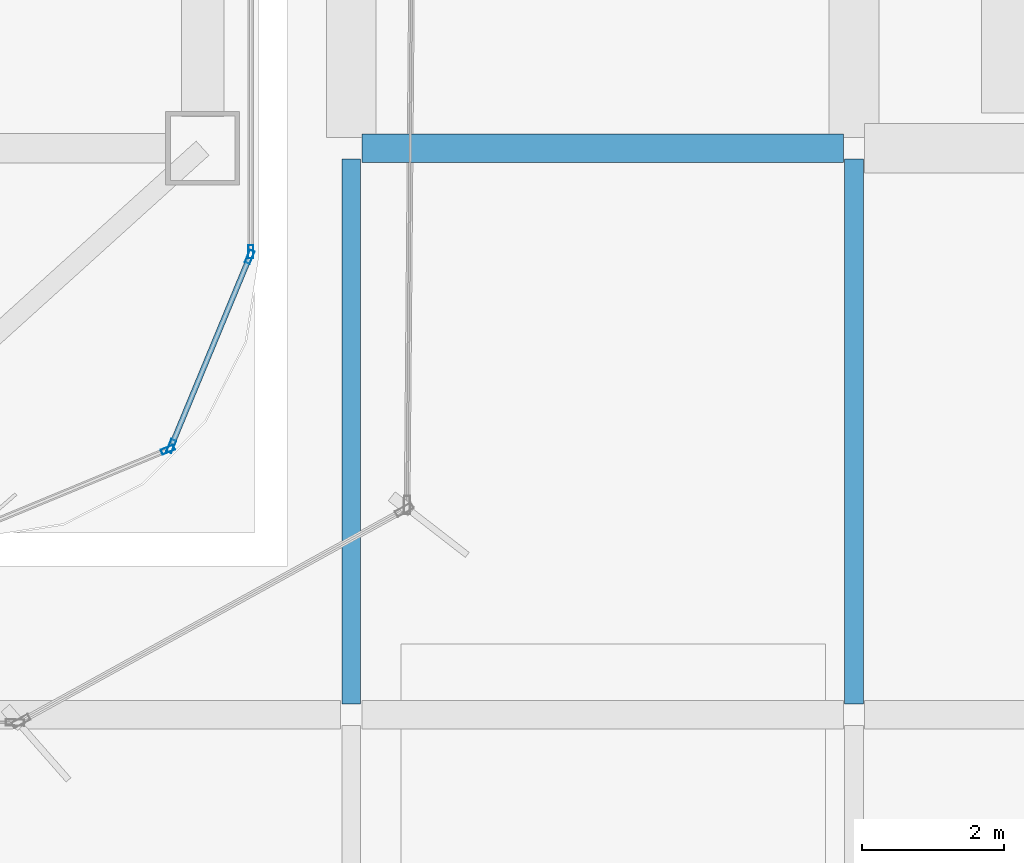
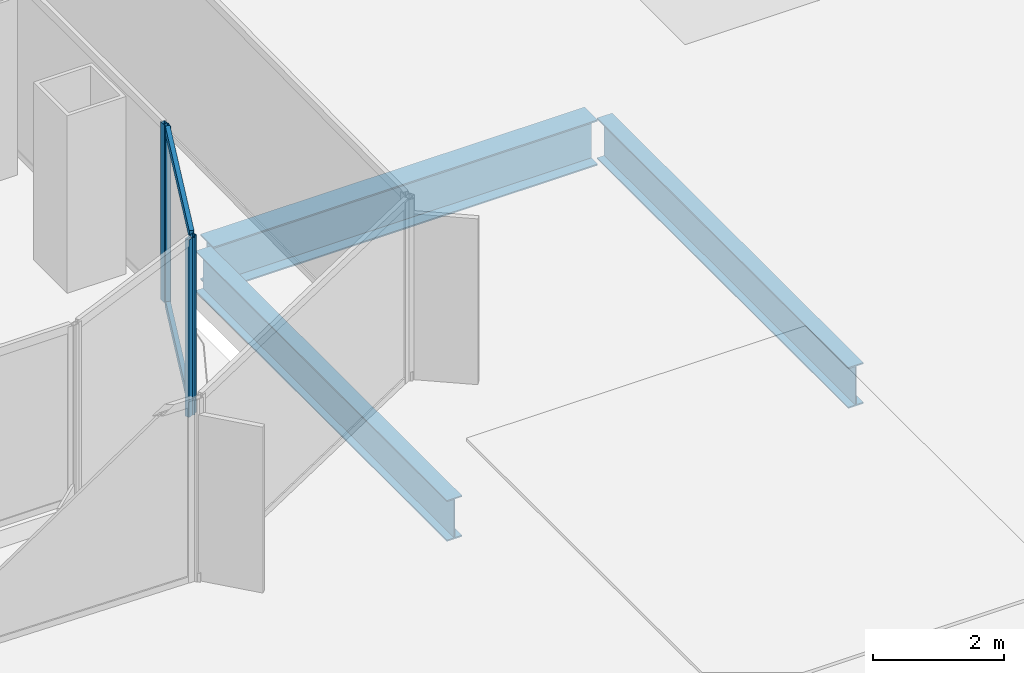
# One storey, part 10 of 27: 6 members, 3 beams, 3 elements without a shape of their own.
"""IFC4 building model written with IfcOpenShell, lengths in metres."""

from ifc_helpers import new_model, si_unit, direction, frame, origin, origin_2d, place, context, subcontext, project, spatial, hollow_rectangle, i_section, extrude, source, transform, mapped, material, layer, layer_set, material_profile, profile_set, type_object, element, aggregate, save


model = new_model("IFC4")

# Units and contexts
model_context = context("Model", 3, precision=1e-05, world=origin(), true_north=direction((0.0, 1.0)))
body_context = subcontext(model_context, "Body", "Model", "MODEL_VIEW")
ifc_project = project(units=[si_unit("LENGTHUNIT", "METRE"), si_unit("AREAUNIT", "SQUARE_METRE"), si_unit("VOLUMEUNIT", "CUBIC_METRE"), si_unit("PLANEANGLEUNIT", "RADIAN"), si_unit("MASSUNIT", "GRAM", prefix="KILO")], contexts=[model_context])

# Site, building, storey
site_placement = place(None, origin())
site = spatial("IfcSite", under=ifc_project, at=site_placement, CompositionType="ELEMENT")
building_placement = place(site_placement, origin())
building = spatial("IfcBuilding", under=site, at=building_placement, Name="Kolveth Station Tower", CompositionType="ELEMENT")
storey_placement = place(building_placement, frame((0.0, 0.0, 22.5)))
storey = spatial("IfcBuildingStorey", under=building, at=storey_placement, Name="L05", CompositionType="ELEMENT", Elevation=22.5)

# Beams
ifc_material_1 = material(Name="Steel S355", Category="steel")
ifc_material_profile_1 = material_profile(ifc_material_1, i_section(OverallWidth=0.40087890625, OverallDepth=0.85107421875, WebThickness=0.01611328125, FlangeThickness=0.025390625, at=origin_2d()), Name="W840x226")
ifc_profile_set_1 = profile_set([ifc_material_profile_1], Name="Steel S355")
beam_type_1 = type_object("IfcBeamType", Name="Beam_B2", PredefinedType="BEAM", material=ifc_profile_set_1)
shared_shape_1 = source(origin(), body_context, "Body", "SweptSolid", [
    extrude(i_section(OverallWidth=0.40087890625, OverallDepth=0.85107421875, WebThickness=0.01611328125, FlangeThickness=0.025390625, at=origin_2d()), origin(), (0.0, 0.0, 1.0), 6.800048828125),
])
beam_placement = place(storey_placement, frame((48.449951171875, 5.5, -0.7255859375), z_axis=(1.0, 0.0, 0.0), x_axis=(0.0, 1.0, 0.0)))
element("IfcBeam", 1, at=beam_placement, inside=storey, type_object=beam_type_1, Name="L05 Station Portal Girder SBM-L05-EW-3-1", PredefinedType="BEAM", context=body_context, shape_type="MappedRepresentation", body=[
    mapped(shared_shape_1, transform((0.0, 0.0, 0.0), x_axis=(1.0, 0.0, 0.0), y_axis=(0.0, 1.0, 0.0), z_axis=(0.0, 0.0, 1.0), scale=1.0)),
])
ifc_material_profile_2 = material_profile(ifc_material_1, i_section(OverallWidth=0.26708984375, OverallDepth=0.76611328125, WebThickness=0.014892578125, FlangeThickness=0.023681640625, at=origin_2d()), Name="W760x185")
ifc_profile_set_2 = profile_set([ifc_material_profile_2], Name="Steel S355")
beam_type_2 = type_object("IfcBeamType", Name="Beam_B3", PredefinedType="BEAM", material=ifc_profile_set_2)
shared_shape_2 = source(origin(), body_context, "Body", "SweptSolid", [
    extrude(i_section(OverallWidth=0.26708984375, OverallDepth=0.76611328125, WebThickness=0.014892578125, FlangeThickness=0.023681640625, at=origin_2d()), origin(), (0.0, 0.0, 1.0), 7.7001953125),
])
for number, where, z_axis, x_axis, name in (
    (2, (48.300048828125, -2.35009765625, -0.68310546875), (0.0, 1.0, 0.0), (-1.0, 0.0, 0.0), "L05 Station Spine Girder SBM-L05-NS-1-2"),
    (3, (55.39990234375, -2.35009765625, -0.68310546875), (0.0, 1.0, 0.0), (-1.0, 0.0, 0.0), "L05 Station Spine Girder SBM-L05-NS-2-2"),
):
    element("IfcBeam", number, at=place(storey_placement, frame(where, z_axis=z_axis, x_axis=x_axis)), inside=storey, type_object=beam_type_2, Name=name, PredefinedType="BEAM", context=body_context, shape_type="MappedRepresentation", body=[
        mapped(shared_shape_2, transform((0.0, 0.0, 0.0), x_axis=(1.0, 0.0, 0.0), y_axis=(0.0, 1.0, 0.0), z_axis=(0.0, 0.0, 1.0), scale=1.0)),
    ])

# Curtain wall, member
ifc_material_2 = material(Name="Aluminium 6063-T6 and low-E dark glass", Category="aluminium")
ifc_layer = layer(ifc_material_2, 0.179931640625)
ifc_layer_set = layer_set([ifc_layer], Name="Aluminium 6063-T6 and low-E dark glass")
curtain_wall_type = type_object("IfcCurtainWallType", Name="CurtainWall_CW-Z1", PredefinedType="NOTDEFINED", material=ifc_layer_set)
curtain_wall_1_placement = place(storey_placement, origin())
curtain_wall_1 = element("IfcCurtainWall", 4, at=curtain_wall_1_placement, inside=storey, type_object=curtain_wall_type, Name="L05 Inner Thermal Curtain Wall 1", PredefinedType="NOTDEFINED")
ifc_material_3 = material(Name="Black anodized aluminium 6063-T6", Category="aluminium")
ifc_material_profile_3 = material_profile(ifc_material_3, hollow_rectangle(XDim=0.074951171875, YDim=0.18994140625, WallThickness=0.0048828125, at=origin_2d()), Name="ALU-75x190x5")
ifc_profile_set_3 = profile_set([ifc_material_profile_3], Name="Black anodized aluminium 6063-T6")
member_type_1 = type_object("IfcMemberType", Name="Mullion_ML1", PredefinedType="MULLION", material=ifc_profile_set_3)
shared_shape_3 = source(origin(), body_context, "Body", "SweptSolid", [
    extrude(hollow_rectangle(XDim=0.074951171875, YDim=0.18994140625, WallThickness=0.0048828125, at=origin_2d()), origin(), (0.0, 0.0, 1.0), 3.320068359375),
])
member_1_placement = place(storey_placement, frame((45.708984375, 1.241943359375, 0.0), z_axis=(0.0, 0.0, 1.0), x_axis=(-0.382672990201, 0.923883857728, 0.0)))
member_1 = element("IfcMember", 5, at=member_1_placement, type_object=member_type_1, Name="CW-Z1 mullion 2", PredefinedType="MULLION", context=body_context, shape_type="MappedRepresentation", body=[
    mapped(shared_shape_3, transform((0.0, 0.0, 0.0), x_axis=(1.0, 0.0, 0.0), y_axis=(0.0, 1.0, 0.0), z_axis=(0.0, 0.0, 1.0), scale=1.0)),
])
aggregate(curtain_wall_1, [member_1])

# Curtain wall, members
curtain_wall_2_placement = place(storey_placement, origin())
curtain_wall_2 = element("IfcCurtainWall", 6, at=curtain_wall_2_placement, inside=storey, type_object=curtain_wall_type, Name="L05 Inner Thermal Curtain Wall 2", PredefinedType="NOTDEFINED")
member_2_placement = place(storey_placement, frame((45.758056640625, 1.291015625, 0.0), z_axis=(0.0, 0.0, 1.0), x_axis=(-0.923883857728, 0.382672990201, 0.0)))
member_2 = element("IfcMember", 7, at=member_2_placement, type_object=member_type_1, Name="CW-Z1 mullion 1", PredefinedType="MULLION", context=body_context, shape_type="MappedRepresentation", body=[
    mapped(shared_shape_3, transform((0.0, 0.0, 0.0), x_axis=(1.0, 0.0, 0.0), y_axis=(0.0, 1.0, 0.0), z_axis=(0.0, 0.0, 1.0), scale=1.0)),
])
member_3_placement = place(storey_placement, frame((46.86572265625, 3.96533203125, 0.0), z_axis=(0.0, 0.0, 1.0), x_axis=(-0.923883857728, 0.382672990201, 0.0)))
member_3 = element("IfcMember", 8, at=member_3_placement, type_object=member_type_1, Name="CW-Z1 mullion 2", PredefinedType="MULLION", context=body_context, shape_type="MappedRepresentation", body=[
    mapped(shared_shape_3, transform((0.0, 0.0, 0.0), x_axis=(1.0, 0.0, 0.0), y_axis=(0.0, 1.0, 0.0), z_axis=(0.0, 0.0, 1.0), scale=1.0)),
])

# Curtain wall, member
curtain_wall_3_placement = place(storey_placement, origin())
curtain_wall_3 = element("IfcCurtainWall", 9, at=curtain_wall_3_placement, inside=storey, type_object=curtain_wall_type, Name="L05 Inner Thermal Curtain Wall 3", PredefinedType="NOTDEFINED")
member_4_placement = place(storey_placement, frame((46.8798828125, 4.03759765625, 0.0), z_axis=(0.0, 0.0, 1.0), x_axis=(-1.0, 0.0, 0.0)))
member_4 = element("IfcMember", 10, at=member_4_placement, type_object=member_type_1, Name="CW-Z1 mullion 1", PredefinedType="MULLION", context=body_context, shape_type="MappedRepresentation", body=[
    mapped(shared_shape_3, transform((0.0, 0.0, 0.0), x_axis=(1.0, 0.0, 0.0), y_axis=(0.0, 1.0, 0.0), z_axis=(0.0, 0.0, 1.0), scale=1.0)),
])
aggregate(curtain_wall_3, [member_4])

# Member
ifc_material_profile_4 = material_profile(ifc_material_3, hollow_rectangle(XDim=0.074951171875, YDim=0.159912109375, WallThickness=0.0048828125, at=origin_2d()), Name="ALU-75x160x5")
ifc_profile_set_4 = profile_set([ifc_material_profile_4], Name="Black anodized aluminium 6063-T6")
member_type_2 = type_object("IfcMemberType", Name="Transom_TR1", PredefinedType="USERDEFINED", material=ifc_profile_set_4)
shared_shape_4 = source(origin(), body_context, "Body", "SweptSolid", [
    extrude(hollow_rectangle(XDim=0.074951171875, YDim=0.159912109375, WallThickness=0.0048828125, at=origin_2d()), origin(), (0.0, 0.0, 1.0), 2.819580078125),
])
member_5_placement = place(storey_placement, frame((45.772216796875, 1.32568359375, 0.03759765625), z_axis=(0.382708655389, 0.923869084389, 0.0), x_axis=(-0.923869084389, 0.382708655389, 0.0)))
member_5 = element("IfcMember", 11, at=member_5_placement, type_object=member_type_2, Name="CW-Z1 transom 1.1", ObjectType="TRANSOM", PredefinedType="USERDEFINED", context=body_context, shape_type="MappedRepresentation", body=[
    mapped(shared_shape_4, transform((0.0, 0.0, 0.0), x_axis=(1.0, 0.0, 0.0), y_axis=(0.0, 1.0, 0.0), z_axis=(0.0, 0.0, 1.0), scale=1.0)),
])

member_6_placement = place(storey_placement, frame((45.772216796875, 1.32568359375, 3.282470703125), z_axis=(0.382708655389, 0.923869084389, 0.0), x_axis=(-0.923869084389, 0.382708655389, 0.0)))
member_6 = element("IfcMember", 12, at=member_6_placement, type_object=member_type_2, Name="CW-Z1 transom 1.2", ObjectType="TRANSOM", PredefinedType="USERDEFINED", context=body_context, shape_type="MappedRepresentation", body=[
    mapped(shared_shape_4, transform((0.0, 0.0, 0.0), x_axis=(1.0, 0.0, 0.0), y_axis=(0.0, 1.0, 0.0), z_axis=(0.0, 0.0, 1.0), scale=1.0)),
])

aggregate(curtain_wall_2, [member_2, member_3, member_5, member_6])

save(model, "model.ifc")
